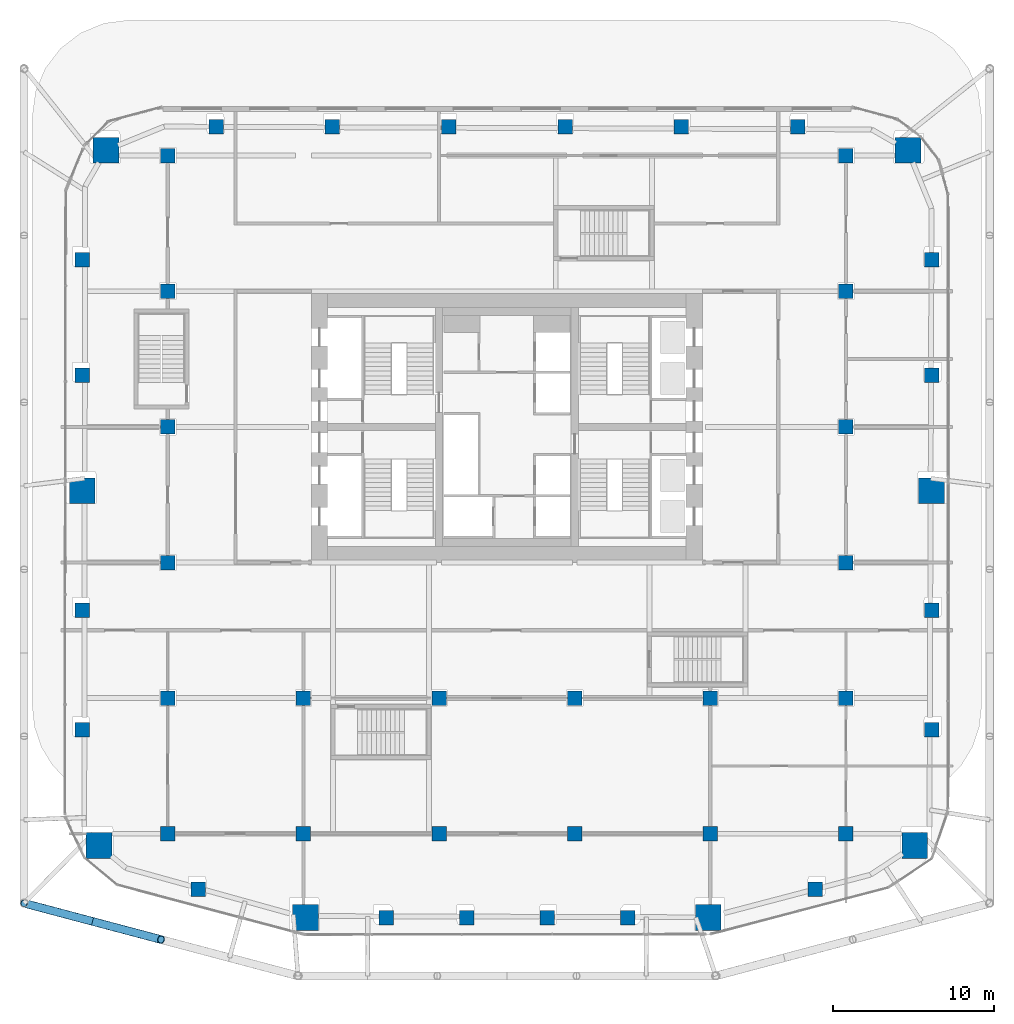
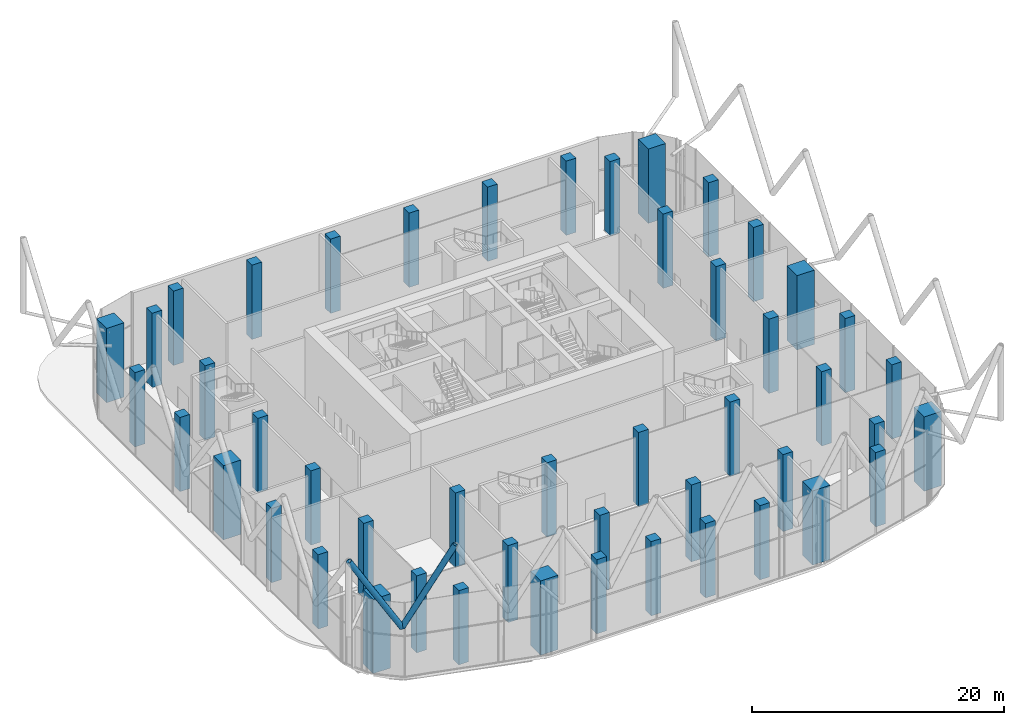
# One storey, part 1 of 34: 48 columns, 2 members.
"""IFC4 building model written with IfcOpenShell, lengths in metres."""

from ifc_helpers import new_model, si_unit, direction, frame, origin, origin_2d, place, context, subcontext, project, spatial, rectangle, hollow_circle, extrude, material, material_profile, profile_set, type_object, element, save


model = new_model("IFC4")

# Units and contexts
model_context = context("Model", 3, precision=1e-05, world=origin(), true_north=direction((0.0, 1.0)))
body_context = subcontext(model_context, "Body", "Model", "MODEL_VIEW")
ifc_project = project(units=[si_unit("LENGTHUNIT", "METRE"), si_unit("AREAUNIT", "SQUARE_METRE"), si_unit("VOLUMEUNIT", "CUBIC_METRE"), si_unit("PLANEANGLEUNIT", "RADIAN"), si_unit("MASSUNIT", "GRAM", prefix="KILO")], contexts=[model_context])

# Site, building, storey
site_placement = place(None, origin())
site = spatial("IfcSite", under=ifc_project, at=site_placement, CompositionType="ELEMENT")
building_placement = place(site_placement, origin())
building = spatial("IfcBuilding", under=site, at=building_placement, Name="Marenta Gate Hotel Tower", CompositionType="ELEMENT")
storey_placement = place(building_placement, frame((0.0, 0.0, 97.699951171875)))
storey = spatial("IfcBuildingStorey", under=building, at=storey_placement, Name="L21", CompositionType="ELEMENT", Elevation=97.699951171875)

# Columns
ifc_material_1 = material(Name="Concrete C70", Category="concrete")
ifc_material_profile_1 = material_profile(ifc_material_1, rectangle(XDim=0.89990234375, YDim=0.89990234375, at=origin_2d()), Name="900 x 900")
ifc_profile_set_1 = profile_set([ifc_material_profile_1], Name="Concrete C70")
column_type_1 = type_object("IfcColumnType", Name="Edge column 900 x 900 C70", PredefinedType="COLUMN", material=ifc_profile_set_1)
for number, where, z_axis, x_axis, name in (
    (1, (-26.300048828125, -10.351806640625, 0.0), (0.0, 0.0, 1.0), (1.0, 0.0, 0.0), "L21-EC-SW-W-1"),
    (2, (-26.300048828125, -2.950927734375, 0.0), (0.0, 0.0, 1.0), (1.0, 0.0, 0.0), "L21-EC-SW-W-2"),
    (3, (-26.300048828125, 11.603271484375, 0.0), (0.0, 0.0, 1.0), (1.0, 0.0, 0.0), "L21-EC-W-NW-1"),
    (4, (-26.300048828125, 18.75634765625, 0.0), (0.0, 0.0, 1.0), (1.0, 0.0, 0.0), "L21-EC-W-NW-2"),
    (5, (-18.0068359375, 27.0, 0.0), (0.0, 0.0, 1.0), (1.0, 0.0, 0.0), "L21-EC-NW-NE-1"),
    (6, (-10.80419921875, 27.0, 0.0), (0.0, 0.0, 1.0), (1.0, 0.0, 0.0), "L21-EC-NW-NE-2"),
    (7, (-3.601318359375, 27.0, 0.0), (0.0, 0.0, 1.0), (1.0, 0.0, 0.0), "L21-EC-NW-NE-3"),
    (8, (3.601318359375, 27.0, 0.0), (0.0, 0.0, 1.0), (1.0, 0.0, 0.0), "L21-EC-NW-NE-4"),
    (9, (10.80419921875, 27.0, 0.0), (0.0, 0.0, 1.0), (1.0, 0.0, 0.0), "L21-EC-NW-NE-5"),
    (10, (18.0068359375, 27.0, 0.0), (0.0, 0.0, 1.0), (1.0, 0.0, 0.0), "L21-EC-NW-NE-6"),
    (11, (26.300048828125, 18.75634765625, 0.0), (0.0, 0.0, 1.0), (1.0, 0.0, 0.0), "L21-EC-NE-E-1"),
    (12, (26.300048828125, 11.603271484375, 0.0), (0.0, 0.0, 1.0), (1.0, 0.0, 0.0), "L21-EC-NE-E-2"),
    (13, (26.300048828125, -2.950927734375, 0.0), (0.0, 0.0, 1.0), (1.0, 0.0, 0.0), "L21-EC-E-SE-1"),
    (14, (26.300048828125, -10.351806640625, 0.0), (0.0, 0.0, 1.0), (1.0, 0.0, 0.0), "L21-EC-E-SE-2"),
    (15, (19.106689453125, -20.239013671875, 0.0), (0.0, 0.0, 1.0), (1.0, 0.0, 0.0), "L21-EC-SE-SKE-1"),
    (16, (7.47998046875, -22.0, 0.0), (0.0, 0.0, 1.0), (1.0, 0.0, 0.0), "L21-EC-SKE-SKW-1"),
    (17, (2.493408203125, -22.0, 0.0), (0.0, 0.0, 1.0), (1.0, 0.0, 0.0), "L21-EC-SKE-SKW-2"),
    (18, (-2.493408203125, -22.0, 0.0), (0.0, 0.0, 1.0), (1.0, 0.0, 0.0), "L21-EC-SKE-SKW-3"),
    (19, (-7.47998046875, -22.0, 0.0), (0.0, 0.0, 1.0), (1.0, 0.0, 0.0), "L21-EC-SKE-SKW-4"),
    (20, (-19.106689453125, -20.239013671875, 0.0), (0.0, 0.0, 1.0), (1.0, 0.0, 0.0), "L21-EC-SKW-SW-1"),
):
    element("IfcColumn", number, at=place(storey_placement, frame(where, z_axis=z_axis, x_axis=x_axis)), inside=storey, type_object=column_type_1, Name=name, PredefinedType="COLUMN", context=body_context, shape_type="SweptSolid", body=[
        extrude(rectangle(XDim=0.89990234375, YDim=0.89990234375, at=origin_2d()), origin(), (0.0, 0.0, 1.0), 7.199951171875),
    ])
ifc_material_2 = material(Name="Concrete C70", Category="concrete")
ifc_material_profile_2 = material_profile(ifc_material_2, rectangle(XDim=0.89990234375, YDim=0.89990234375, at=origin_2d()), Name="900 x 900")
ifc_profile_set_2 = profile_set([ifc_material_profile_2], Name="Concrete C70")
column_type_2 = type_object("IfcColumnType", Name="Interior column 900 x 900 C70", PredefinedType="COLUMN", material=ifc_profile_set_2)
column_1_placement = place(storey_placement, frame((-21.0, -16.800048828125, -0.260009765625), z_axis=(0.0, 0.0, 1.0), x_axis=(1.0, 0.0, 0.0)))
element("IfcColumn", 21, at=column_1_placement, inside=storey, type_object=column_type_2, Name="L21-IC-4D", PredefinedType="COLUMN", context=body_context, shape_type="SweptSolid", body=[
    extrude(rectangle(XDim=0.89990234375, YDim=0.89990234375, at=origin_2d()), origin(), (0.0, 0.0, 1.0), 7.4599609375),
])
for number, where, z_axis, x_axis, name in (
    (22, (-21.0, -8.39990234375, 0.0), (0.0, 0.0, 1.0), (1.0, 0.0, 0.0), "L21-IC-4E"),
    (23, (-21.0, 0.0, 0.0), (0.0, 0.0, 1.0), (1.0, 0.0, 0.0), "L21-IC-4F"),
    (24, (-21.0, 8.39990234375, 0.0), (0.0, 0.0, 1.0), (1.0, 0.0, 0.0), "L21-IC-4G"),
    (25, (-21.0, 16.800048828125, 0.0), (0.0, 0.0, 1.0), (1.0, 0.0, 0.0), "L21-IC-4H"),
    (26, (-21.0, 25.199951171875, 0.0), (0.0, 0.0, 1.0), (1.0, 0.0, 0.0), "L21-IC-4I"),
):
    element("IfcColumn", number, at=place(storey_placement, frame(where, z_axis=z_axis, x_axis=x_axis)), inside=storey, type_object=column_type_2, Name=name, PredefinedType="COLUMN", context=body_context, shape_type="SweptSolid", body=[
        extrude(rectangle(XDim=0.89990234375, YDim=0.89990234375, at=origin_2d()), origin(), (0.0, 0.0, 1.0), 7.199951171875),
    ])
column_2_placement = place(storey_placement, frame((-12.60009765625, -16.800048828125, -0.260009765625), z_axis=(0.0, 0.0, 1.0), x_axis=(1.0, 0.0, 0.0)))
element("IfcColumn", 27, at=column_2_placement, inside=storey, type_object=column_type_2, Name="L21-IC-5D", PredefinedType="COLUMN", context=body_context, shape_type="SweptSolid", body=[
    extrude(rectangle(XDim=0.89990234375, YDim=0.89990234375, at=origin_2d()), origin(), (0.0, 0.0, 1.0), 7.4599609375),
])
column_3_placement = place(storey_placement, frame((-12.60009765625, -8.39990234375, 0.0), z_axis=(0.0, 0.0, 1.0), x_axis=(1.0, 0.0, 0.0)))
element("IfcColumn", 28, at=column_3_placement, inside=storey, type_object=column_type_2, Name="L21-IC-5E", PredefinedType="COLUMN", context=body_context, shape_type="SweptSolid", body=[
    extrude(rectangle(XDim=0.89990234375, YDim=0.89990234375, at=origin_2d()), origin(), (0.0, 0.0, 1.0), 7.199951171875),
])
column_4_placement = place(storey_placement, frame((-4.199951171875, -16.800048828125, -0.260009765625), z_axis=(0.0, 0.0, 1.0), x_axis=(1.0, 0.0, 0.0)))
element("IfcColumn", 29, at=column_4_placement, inside=storey, type_object=column_type_2, Name="L21-IC-6D", PredefinedType="COLUMN", context=body_context, shape_type="SweptSolid", body=[
    extrude(rectangle(XDim=0.89990234375, YDim=0.89990234375, at=origin_2d()), origin(), (0.0, 0.0, 1.0), 7.4599609375),
])
column_5_placement = place(storey_placement, frame((-4.199951171875, -8.39990234375, 0.0), z_axis=(0.0, 0.0, 1.0), x_axis=(1.0, 0.0, 0.0)))
element("IfcColumn", 30, at=column_5_placement, inside=storey, type_object=column_type_2, Name="L21-IC-6E", PredefinedType="COLUMN", context=body_context, shape_type="SweptSolid", body=[
    extrude(rectangle(XDim=0.89990234375, YDim=0.89990234375, at=origin_2d()), origin(), (0.0, 0.0, 1.0), 7.199951171875),
])
column_6_placement = place(storey_placement, frame((4.199951171875, -16.800048828125, -0.260009765625), z_axis=(0.0, 0.0, 1.0), x_axis=(1.0, 0.0, 0.0)))
element("IfcColumn", 31, at=column_6_placement, inside=storey, type_object=column_type_2, Name="L21-IC-7D", PredefinedType="COLUMN", context=body_context, shape_type="SweptSolid", body=[
    extrude(rectangle(XDim=0.89990234375, YDim=0.89990234375, at=origin_2d()), origin(), (0.0, 0.0, 1.0), 7.4599609375),
])
column_7_placement = place(storey_placement, frame((4.199951171875, -8.39990234375, 0.0), z_axis=(0.0, 0.0, 1.0), x_axis=(1.0, 0.0, 0.0)))
element("IfcColumn", 32, at=column_7_placement, inside=storey, type_object=column_type_2, Name="L21-IC-7E", PredefinedType="COLUMN", context=body_context, shape_type="SweptSolid", body=[
    extrude(rectangle(XDim=0.89990234375, YDim=0.89990234375, at=origin_2d()), origin(), (0.0, 0.0, 1.0), 7.199951171875),
])
column_8_placement = place(storey_placement, frame((12.60009765625, -16.800048828125, -0.260009765625), z_axis=(0.0, 0.0, 1.0), x_axis=(1.0, 0.0, 0.0)))
element("IfcColumn", 33, at=column_8_placement, inside=storey, type_object=column_type_2, Name="L21-IC-8D", PredefinedType="COLUMN", context=body_context, shape_type="SweptSolid", body=[
    extrude(rectangle(XDim=0.89990234375, YDim=0.89990234375, at=origin_2d()), origin(), (0.0, 0.0, 1.0), 7.4599609375),
])
column_9_placement = place(storey_placement, frame((12.60009765625, -8.39990234375, 0.0), z_axis=(0.0, 0.0, 1.0), x_axis=(1.0, 0.0, 0.0)))
element("IfcColumn", 34, at=column_9_placement, inside=storey, type_object=column_type_2, Name="L21-IC-8E", PredefinedType="COLUMN", context=body_context, shape_type="SweptSolid", body=[
    extrude(rectangle(XDim=0.89990234375, YDim=0.89990234375, at=origin_2d()), origin(), (0.0, 0.0, 1.0), 7.199951171875),
])
column_10_placement = place(storey_placement, frame((21.0, -16.800048828125, -0.260009765625), z_axis=(0.0, 0.0, 1.0), x_axis=(1.0, 0.0, 0.0)))
element("IfcColumn", 35, at=column_10_placement, inside=storey, type_object=column_type_2, Name="L21-IC-9D", PredefinedType="COLUMN", context=body_context, shape_type="SweptSolid", body=[
    extrude(rectangle(XDim=0.89990234375, YDim=0.89990234375, at=origin_2d()), origin(), (0.0, 0.0, 1.0), 7.4599609375),
])
for number, where, z_axis, x_axis, name in (
    (36, (21.0, -8.39990234375, 0.0), (0.0, 0.0, 1.0), (1.0, 0.0, 0.0), "L21-IC-9E"),
    (37, (21.0, 0.0, 0.0), (0.0, 0.0, 1.0), (1.0, 0.0, 0.0), "L21-IC-9F"),
    (38, (21.0, 8.39990234375, 0.0), (0.0, 0.0, 1.0), (1.0, 0.0, 0.0), "L21-IC-9G"),
    (39, (21.0, 16.800048828125, 0.0), (0.0, 0.0, 1.0), (1.0, 0.0, 0.0), "L21-IC-9H"),
    (40, (21.0, 25.199951171875, 0.0), (0.0, 0.0, 1.0), (1.0, 0.0, 0.0), "L21-IC-9I"),
):
    element("IfcColumn", number, at=place(storey_placement, frame(where, z_axis=z_axis, x_axis=x_axis)), inside=storey, type_object=column_type_2, Name=name, PredefinedType="COLUMN", context=body_context, shape_type="SweptSolid", body=[
        extrude(rectangle(XDim=0.89990234375, YDim=0.89990234375, at=origin_2d()), origin(), (0.0, 0.0, 1.0), 7.199951171875),
    ])
ifc_material_3 = material(Name="Concrete C70", Category="concrete")
ifc_material_profile_3 = material_profile(ifc_material_3, rectangle(XDim=1.60009765625, YDim=1.60009765625, at=origin_2d()), Name="1600 x 1600")
ifc_profile_set_3 = profile_set([ifc_material_profile_3], Name="Concrete C70")
column_type_3 = type_object("IfcColumnType", Name="Mega column 1600 x 1600 C70", PredefinedType="COLUMN", material=ifc_profile_set_3)
for number, where, z_axis, x_axis, name in (
    (41, (-25.262939453125, -17.532958984375, 0.0), (0.0, 0.0, 1.0), (1.0, 0.0, 0.0), "L21-MC-SW"),
    (42, (-12.46630859375, -21.974853515625, 0.0), (0.0, 0.0, 1.0), (1.0, 0.0, 0.0), "L21-MC-SKW"),
    (43, (12.46630859375, -21.974853515625, 0.0), (0.0, 0.0, 1.0), (1.0, 0.0, 0.0), "L21-MC-SKE"),
    (44, (25.262939453125, -17.532958984375, 0.0), (0.0, 0.0, 1.0), (1.0, 0.0, 0.0), "L21-MC-SE"),
    (45, (26.300048828125, 4.449951171875, 0.0), (0.0, 0.0, 1.0), (1.0, 0.0, 0.0), "L21-MC-E"),
    (46, (24.83544921875, 25.535400390625, 0.0), (0.0, 0.0, 1.0), (1.0, 0.0, 0.0), "L21-MC-NE"),
    (47, (-24.83544921875, 25.535400390625, 0.0), (0.0, 0.0, 1.0), (1.0, 0.0, 0.0), "L21-MC-NW"),
    (48, (-26.300048828125, 4.449951171875, 0.0), (0.0, 0.0, 1.0), (1.0, 0.0, 0.0), "L21-MC-W"),
):
    element("IfcColumn", number, at=place(storey_placement, frame(where, z_axis=z_axis, x_axis=x_axis)), inside=storey, type_object=column_type_3, Name=name, PredefinedType="COLUMN", context=body_context, shape_type="SweptSolid", body=[
        extrude(rectangle(XDim=1.60009765625, YDim=1.60009765625, at=origin_2d()), origin(), (0.0, 0.0, 1.0), 7.199951171875),
    ])

# Members
ifc_material_4 = material(Name="Steel S355J2W", Category="steel")
ifc_material_profile_4 = material_profile(ifc_material_4, hollow_circle(Radius=0.25390625, WallThickness=0.0400390625, at=origin_2d()), Name="CHS 508x40")
ifc_profile_set_4 = profile_set([ifc_material_profile_4], Name="Steel S355J2W")
member_type = type_object("IfcMemberType", Name="Diagrid diagonal Z2 CHS 508x40", PredefinedType="BRACE", material=ifc_profile_set_4)
member_1_placement = place(storey_placement, frame((-25.659912109375, -22.22509765625, 6.739990234375), z_axis=(0.502945650976, -0.133431605717, 0.853956485285), x_axis=(0.256429393985, 0.966562965306, 0.0)))
element("IfcMember", 49, at=member_1_placement, inside=storey, type_object=member_type, Name="L21-DG-23", PredefinedType="BRACE", context=body_context, shape_type="SweptSolid", body=[
    extrude(hollow_circle(Radius=0.25390625, WallThickness=0.0400390625, at=origin_2d()), origin(), (0.0, 0.0, 1.0), 8.431396484375),
])
member_2_placement = place(storey_placement, frame((-25.659912109375, -22.22509765625, 6.739990234375), z_axis=(-0.502902385412, 0.133435492139, 0.853981358218), x_axis=(-0.256456982503, -0.966555645644, 0.0)))
element("IfcMember", 50, at=member_2_placement, inside=storey, type_object=member_type, Name="L21-DG-24", PredefinedType="BRACE", context=body_context, shape_type="SweptSolid", body=[
    extrude(hollow_circle(Radius=0.25390625, WallThickness=0.0400390625, at=origin_2d()), origin(), (0.0, 0.0, 1.0), 8.43115234375),
])

save(model, "model.ifc")
